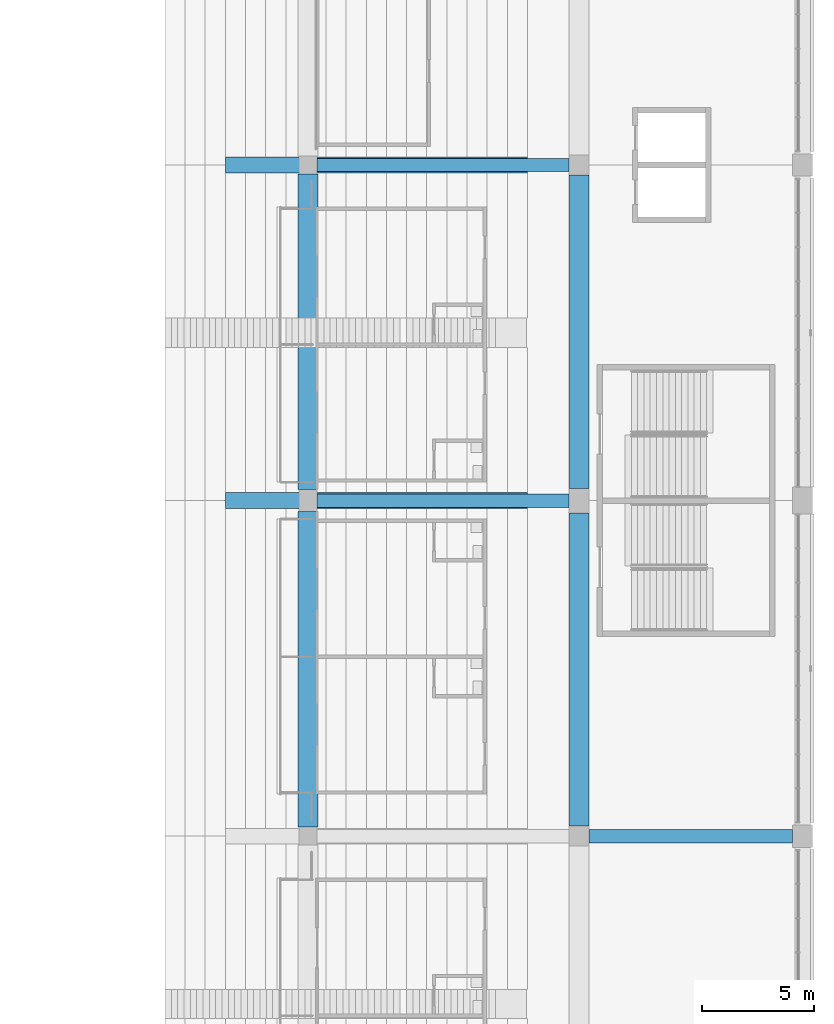
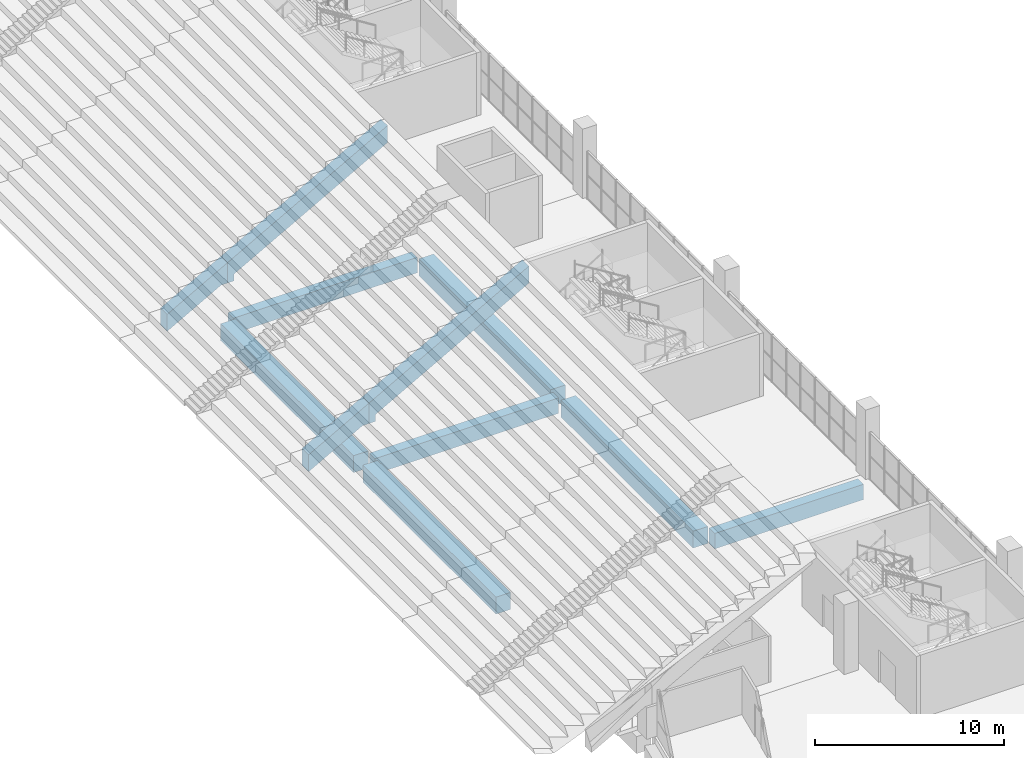
# One storey, part 33 of 249: 11 beams.
"""IFC4 building model written with IfcOpenShell, lengths in metres."""

from ifc_helpers import new_model, si_unit, direction, frame, origin, origin_2d, place, context, subcontext, project, spatial, polyline, rectangle, outline, extrude, material, material_profile, profile_set, type_object, element, save


model = new_model("IFC4")

# Units and contexts
model_context = context("Model", 3, precision=1e-05, world=origin(), true_north=direction((0.0, 1.0)))
body_context = subcontext(model_context, "Body", "Model", "MODEL_VIEW")
ifc_project = project(units=[si_unit("LENGTHUNIT", "METRE"), si_unit("AREAUNIT", "SQUARE_METRE"), si_unit("VOLUMEUNIT", "CUBIC_METRE"), si_unit("PLANEANGLEUNIT", "RADIAN"), si_unit("MASSUNIT", "GRAM", prefix="KILO")], contexts=[model_context])

# Site, building, storey
site_placement = place(None, origin())
site = spatial("IfcSite", under=ifc_project, at=site_placement, CompositionType="ELEMENT")
building_placement = place(site_placement, origin())
building = spatial("IfcBuilding", under=site, at=building_placement, Name="Ogive Plaza Stadium", CompositionType="ELEMENT")
storey_placement = place(building_placement, frame((0.0, 0.0, 13.5)))
storey = spatial("IfcBuildingStorey", under=building, at=storey_placement, Name="L03", CompositionType="ELEMENT", Elevation=13.5)

# Beams
ifc_material_1 = material(Name="Concrete C45/55 precast", Category="concrete")
ifc_material_profile_1 = material_profile(ifc_material_1, rectangle(XDim=0.699951171875, YDim=1.10009765625, at=origin_2d()), Name="RC 700x1100")
ifc_profile_set_1 = profile_set([ifc_material_profile_1], Name="Concrete C45/55 precast")
beam_type_1 = type_object("IfcBeamType", Name="Precast raker UT back-span 700x1100", PredefinedType="USERDEFINED", material=ifc_profile_set_1)
for number, where, z_axis, x_axis, name in (
    (1, (34.0, -7.5, -13.5), (0.0, 0.0, 1.0), (1.0, 0.0, 0.0), "RAKER UT BACK-SPAN R05"),
    (2, (34.0, -22.5, -13.5), (0.0, 0.0, 1.0), (1.0, 0.0, 0.0), "RAKER UT BACK-SPAN R06"),
):
    element("IfcBeam", number, at=place(storey_placement, frame(where, z_axis=z_axis, x_axis=x_axis)), inside=storey, type_object=beam_type_1, Name=name, ObjectType="RAKER", PredefinedType="USERDEFINED", context=body_context, shape_type="SweptSolid", body=[
        extrude(outline(polyline([(27.89990234375, 15.533203125), (28.300048828125, 15.533203125), (28.300048828125, 15.977783203125), (37.699951171875, 21.199951171875), (37.699951171875, 22.300048828125), (27.89990234375, 16.855712890625), (27.89990234375, 15.533203125)])), frame((0.0, 0.35009765625, 0.0), z_axis=(0.0, -1.0, 0.0), x_axis=(1.0, 0.0, 0.0)), (0.0, 0.0, 1.0), 0.699951171875),
    ])
ifc_material_2 = material(Name="Concrete C45/55 precast", Category="concrete")
ifc_material_profile_2 = material_profile(ifc_material_2, rectangle(XDim=0.699951171875, YDim=1.10009765625, at=origin_2d()), Name="RC 700x1100")
ifc_profile_set_2 = profile_set([ifc_material_profile_2], Name="Concrete C45/55 precast")
beam_type_2 = type_object("IfcBeamType", Name="Precast raker UT cantilever 700x1100", PredefinedType="USERDEFINED", material=ifc_profile_set_2)
for number, where, z_axis, x_axis, name in (
    (3, (34.0, -7.5, -13.5), (0.0, 0.0, 1.0), (1.0, 0.0, 0.0), "RAKER UT CANTILEVER R05"),
    (4, (34.0, -22.5, -13.5), (0.0, 0.0, 1.0), (1.0, 0.0, 0.0), "RAKER UT CANTILEVER R06"),
):
    element("IfcBeam", number, at=place(storey_placement, frame(where, z_axis=z_axis, x_axis=x_axis)), inside=storey, type_object=beam_type_2, Name=name, ObjectType="RAKER", PredefinedType="USERDEFINED", context=body_context, shape_type="SweptSolid", body=[
        extrude(outline(polyline([(24.199951171875, 13.699951171875), (27.5, 15.533203125), (27.89990234375, 15.533203125), (27.89990234375, 16.855712890625), (24.199951171875, 14.800048828125), (24.199951171875, 13.699951171875)])), frame((0.0, 0.35009765625, 0.0), z_axis=(0.0, -1.0, 0.0), x_axis=(1.0, 0.0, 0.0)), (0.0, 0.0, 1.0), 0.699951171875),
    ])
ifc_material_3 = material(Name="Concrete C40/50", Category="concrete")
ifc_material_profile_3 = material_profile(ifc_material_3, rectangle(XDim=0.60009765625, YDim=1.0, at=origin_2d()), Name="RC 600x1000")
ifc_profile_set_3 = profile_set([ifc_material_profile_3], Name="Concrete C40/50")
beam_type_3 = type_object("IfcBeamType", Name="RC radial beam 600x1000", PredefinedType="BEAM", material=ifc_profile_set_3)
for number, where, z_axis, x_axis, name in (
    (5, (62.300048828125, -7.5, -0.909912109375), (1.0, 0.0, 0.0), (0.0, 1.0, 0.0), "Radial beam L03 R05 F3F4"),
    (6, (62.300048828125, -22.5, -0.909912109375), (1.0, 0.0, 0.0), (0.0, 1.0, 0.0), "Radial beam L03 R06 F3F4"),
):
    element("IfcBeam", number, at=place(storey_placement, frame(where, z_axis=z_axis, x_axis=x_axis)), inside=storey, type_object=beam_type_3, Name=name, PredefinedType="BEAM", context=body_context, shape_type="SweptSolid", body=[
        extrude(rectangle(XDim=0.60009765625, YDim=1.0, at=origin_2d()), origin(), (0.0, 0.0, 1.0), 11.25),
    ])
beam_1_placement = place(storey_placement, frame((74.449951171875, -37.5, -0.909912109375), z_axis=(1.0, 0.0, 0.0), x_axis=(0.0, 1.0, 0.0)))
element("IfcBeam", 7, at=beam_1_placement, inside=storey, type_object=beam_type_3, Name="Radial beam L03 R07 F4F5", PredefinedType="BEAM", context=body_context, shape_type="SweptSolid", body=[
    extrude(rectangle(XDim=0.60009765625, YDim=1.0, at=origin_2d()), origin(), (0.0, 0.0, 1.0), 9.10009765625),
])
ifc_material_4 = material(Name="Concrete C40/50", Category="concrete")
ifc_material_profile_4 = material_profile(ifc_material_4, rectangle(XDim=0.89990234375, YDim=1.10009765625, at=origin_2d()), Name="RC 900x1100")
ifc_profile_set_4 = profile_set([ifc_material_profile_4], Name="Concrete C40/50")
beam_type_4 = type_object("IfcBeamType", Name="RC ring beam 900x1100", PredefinedType="BEAM", material=ifc_profile_set_4)
beam_2_placement = place(storey_placement, frame((74.0, -7.949951171875, -0.9599609375), z_axis=(0.0, -1.0, 0.0), x_axis=(1.0, 0.0, 0.0)))
element("IfcBeam", 8, at=beam_2_placement, inside=storey, type_object=beam_type_4, Name="Ring beam F4 L03 B05", PredefinedType="BEAM", context=body_context, shape_type="SweptSolid", body=[
    extrude(rectangle(XDim=0.89990234375, YDim=1.10009765625, at=origin_2d()), origin(), (0.0, 0.0, 1.0), 14.0),
])
beam_3_placement = place(storey_placement, frame((61.89990234375, -7.89990234375, -0.9599609375), z_axis=(0.0, -1.0, 0.0), x_axis=(1.0, 0.0, 0.0)))
element("IfcBeam", 9, at=beam_3_placement, inside=storey, type_object=beam_type_4, Name="Ring beam F3 L03 B05", PredefinedType="BEAM", context=body_context, shape_type="SweptSolid", body=[
    extrude(rectangle(XDim=0.89990234375, YDim=1.10009765625, at=origin_2d()), origin(), (0.0, 0.0, 1.0), 14.10009765625),
])
beam_4_placement = place(storey_placement, frame((74.0, -23.050048828125, -0.9599609375), z_axis=(0.0, -1.0, 0.0), x_axis=(1.0, 0.0, 0.0)))
element("IfcBeam", 10, at=beam_4_placement, inside=storey, type_object=beam_type_4, Name="Ring beam F4 L03 B06", PredefinedType="BEAM", context=body_context, shape_type="SweptSolid", body=[
    extrude(rectangle(XDim=0.89990234375, YDim=1.10009765625, at=origin_2d()), origin(), (0.0, 0.0, 1.0), 14.0),
])
beam_5_placement = place(storey_placement, frame((61.89990234375, -23.0, -0.9599609375), z_axis=(0.0, -1.0, 0.0), x_axis=(1.0, 0.0, 0.0)))
element("IfcBeam", 11, at=beam_5_placement, inside=storey, type_object=beam_type_4, Name="Ring beam F3 L03 B06", PredefinedType="BEAM", context=body_context, shape_type="SweptSolid", body=[
    extrude(rectangle(XDim=0.89990234375, YDim=1.10009765625, at=origin_2d()), origin(), (0.0, 0.0, 1.0), 14.10009765625),
])

save(model, "model.ifc")
